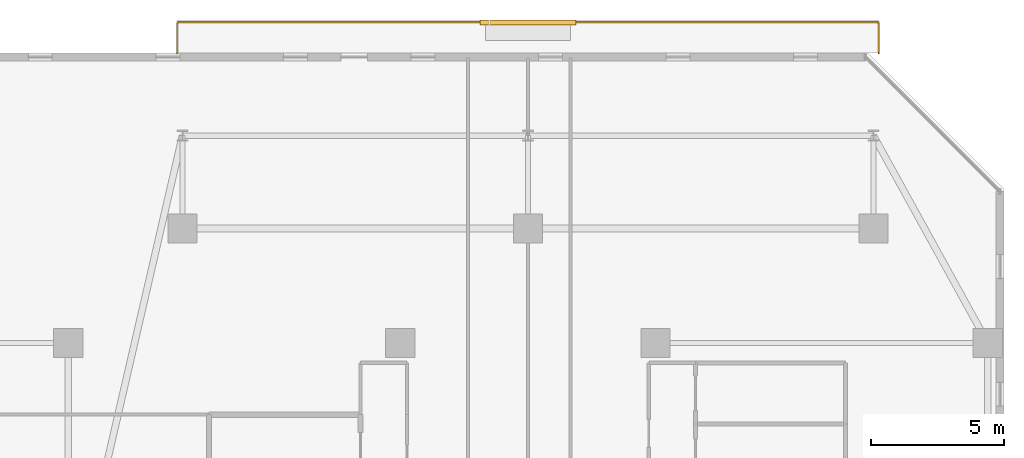
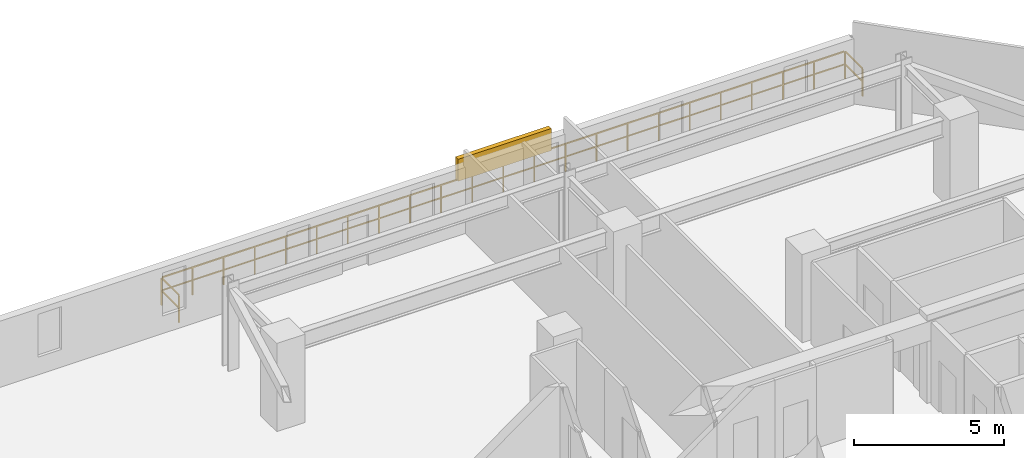
# One storey, part 33 of 33: 1 railing, 1 shading device.
"""IFC4 building model written with IfcOpenShell, lengths in metres."""

import ifcopenshell
import ifcopenshell.guid

model = None  # the IFC model being written
_history = None  # IfcOwnerHistory: only IFC2X3 demands one
_inside = {}  # id of a spatial element -> (the spatial element, [elements in it])
_under = {}  # id of a project, library or spatial element -> (it, [spatial elements below it])
_declared = {}  # id of a project -> (the project, [libraries it declares])
_typed = {}  # id of a type object -> (the type object, [elements of that type])
_made_of = {}  # id of a material, layer set ... -> (it, [elements and type objects made of it])


def new_model(schema):
    """Start an empty IFC model of exactly this schema.

    Asked for "IFC4X3", IfcOpenShell would pick the latest addendum, in which some entities
    have other attributes; the version numbers below select the first issue.
    IFC2X3 requires an IfcOwnerHistory on every rooted entity: one is made here for all.
    """
    global model, _history
    if schema == "IFC4X3":
        model = ifcopenshell.file(schema_version=(4, 3, 0, 0))
    else:
        model = ifcopenshell.file(schema=schema)
    _inside.clear()
    _under.clear()
    _declared.clear()
    _typed.clear()
    _made_of.clear()
    _history = None
    if model.schema == "IFC2X3":
        org = make("IfcOrganization", Name="unknown")
        user = make(
            "IfcPersonAndOrganization",
            ThePerson=make("IfcPerson", FamilyName="unknown"),
            TheOrganization=org,
        )
        app = make(
            "IfcApplication",
            ApplicationDeveloper=org,
            Version="unknown",
            ApplicationFullName="unknown",
            ApplicationIdentifier="unknown",
        )
        _history = make(
            "IfcOwnerHistory",
            OwningUser=user,
            OwningApplication=app,
            ChangeAction="ADDED",
            CreationDate=0,
        )
    return model


def make(cls, **values):
    """One entity of the class cls with the attributes given. An attribute that is None is left unset."""
    return model.create_entity(
        cls, **{name: value for name, value in values.items() if value is not None}
    )


def rooted(cls, **values):
    """An entity with a GlobalId (a new one), such as an element, a storey or a relation."""
    return make(cls, GlobalId=ifcopenshell.guid.new(), OwnerHistory=_history, **values)


def si_unit(unit_type, name, prefix=None):
    """IfcSIUnit, for example si_unit("LENGTHUNIT", "METRE", prefix="MILLI")."""
    return make("IfcSIUnit", UnitType=unit_type, Prefix=prefix, Name=name)


def assignment(units):
    """IfcUnitAssignment: the units of a project."""
    return None if units is None else make("IfcUnitAssignment", Units=units)


def point(xyz):
    """IfcCartesianPoint."""
    return None if xyz is None else make("IfcCartesianPoint", Coordinates=xyz)


def direction(xyz):
    """IfcDirection."""
    return None if xyz is None else make("IfcDirection", DirectionRatios=xyz)


def frame(location, z_axis=None, x_axis=None):
    """IfcAxis2Placement3D, a coordinate frame: its origin and axes. An axis left out is left unset."""
    return make(
        "IfcAxis2Placement3D",
        Location=point(location),
        Axis=direction(z_axis),
        RefDirection=direction(x_axis),
    )


def frame_2d(location, x_axis=None):
    """IfcAxis2Placement2D, a coordinate frame in the plane: its origin and x axis."""
    return make(
        "IfcAxis2Placement2D", Location=point(location), RefDirection=direction(x_axis)
    )


def origin():
    """The frame at (0, 0, 0) with its axes left unset."""
    return frame((0.0, 0.0, 0.0))


def origin_2d():
    """The frame at (0, 0) in the plane with its x axis left unset."""
    return frame_2d((0.0, 0.0))


def place(relative_to, where):
    """IfcLocalPlacement: puts the frame where relative to a parent placement (None: the world)."""
    return make(
        "IfcLocalPlacement", PlacementRelTo=relative_to, RelativePlacement=where
    )


def context(
    kind, dimensions, precision=None, world=None, true_north=None, identifier=None
):
    """IfcGeometricRepresentationContext, for example the 3D "Model" context."""
    return make(
        "IfcGeometricRepresentationContext",
        ContextIdentifier=identifier,
        ContextType=kind,
        CoordinateSpaceDimension=dimensions,
        Precision=precision,
        WorldCoordinateSystem=world,
        TrueNorth=true_north,
    )


def subcontext(parent, identifier, kind, view, scale=None):
    """IfcGeometricRepresentationSubContext, for example "Body" below "Model"."""
    return make(
        "IfcGeometricRepresentationSubContext",
        ContextIdentifier=identifier,
        ContextType=kind,
        ParentContext=parent,
        TargetScale=scale,
        TargetView=view,
    )


def project(units=None, contexts=None):
    """IfcProject with its units and contexts."""
    return rooted(
        "IfcProject",
        Name="project",
        RepresentationContexts=contexts,
        UnitsInContext=assignment(units),
    )


def spatial(cls, under=None, at=None, **own):
    """A site, building, storey or space (cls), placed at a placement, below another one or the project."""
    s = rooted(cls, ObjectPlacement=at, **own)
    if under is not None:
        _under.setdefault(under.id(), (under, []))[1].append(s)
    return s


def profile(cls, at=None, kind="AREA", **sizes):
    """A parametric profile (cls). Its sizes go by their IFC names, for example OverallWidth=200.0."""
    return make(cls, ProfileType=kind, Position=at, **sizes)


def rectangle(**sizes):
    """IfcRectangleProfileDef."""
    return profile("IfcRectangleProfileDef", **sizes)


def extrude(swept, where, along, depth):
    """IfcExtrudedAreaSolid: the profile swept, set in the frame where, extruded along a direction by depth."""
    return make(
        "IfcExtrudedAreaSolid",
        SweptArea=swept,
        Position=where,
        ExtrudedDirection=direction(along),
        Depth=depth,
    )


def shape(context_of_items, identifier, shape_type, items):
    """IfcShapeRepresentation: the items that make up one representation, for example the "Body"."""
    return make(
        "IfcShapeRepresentation",
        ContextOfItems=context_of_items,
        RepresentationIdentifier=identifier,
        RepresentationType=shape_type,
        Items=items,
    )


def material(Name=None, Category=None):
    """IfcMaterial."""
    return make("IfcMaterial", Name=Name, Category=Category)


def made_of(thing, what):
    """Note that an element or type object is made of a material, layer set ...; save() writes the relation."""
    if what is not None:
        _made_of.setdefault(what.id(), (what, []))[1].append(thing)
    return thing


def type_object(cls, material=None, **own):
    """A type object (cls), such as IfcWallType, which elements share."""
    return made_of(rooted(cls, **own), material)


def element(
    cls,
    number,
    at=None,
    inside=None,
    cuts=None,
    type_object=None,
    material=None,
    context=None,
    identifier="Body",
    shape_type=None,
    held_by="IfcProductDefinitionShape",
    body=None,
    shapes=None,
    **own,
):
    """One element of the class cls, such as IfcWall. Its Tag is "e" and its number.

    at: its placement. inside: the storey or other place that contains it. cuts: it is an
    opening in that element (IfcRelVoidsElement). A single representation is given by context,
    identifier, shape_type and body (its items); several are given by shapes. held_by: the class
    of the entity that holds the representations. save() writes the other relations.
    """
    e = rooted(cls, Tag="e%d" % number, ObjectPlacement=at, **own)
    if body is not None:
        shapes = [shape(context, identifier, shape_type, body)]
    if shapes is not None:
        e.Representation = make(held_by, Representations=shapes)
    if inside is not None:
        _inside.setdefault(inside.id(), (inside, []))[1].append(e)
    if cuts is not None:
        rooted(
            "IfcRelVoidsElement", RelatingBuildingElement=cuts, RelatedOpeningElement=e
        )
    if type_object is not None:
        _typed.setdefault(type_object.id(), (type_object, []))[1].append(e)
    return made_of(e, material)


def aggregate(whole, parts):
    """IfcRelAggregates: a whole, such as a stair, and the parts it consists of."""
    return rooted("IfcRelAggregates", RelatingObject=whole, RelatedObjects=parts)


def save(model, path):
    """Write the relations noted so far, then the file.

    IfcRelAggregates (storeys below a building ...), IfcRelContainedInSpatialStructure (elements
    in a storey), IfcRelDefinesByType, IfcRelAssociatesMaterial and IfcRelDeclares: one each for
    every whole, place, type object, material and project.
    """
    for whole, parts in _under.values():
        aggregate(whole, parts)
    for where, things in _inside.values():
        rooted(
            "IfcRelContainedInSpatialStructure",
            RelatedElements=things,
            RelatingStructure=where,
        )
    for kind, things in _typed.values():
        rooted("IfcRelDefinesByType", RelatedObjects=things, RelatingType=kind)
    for what, things in _made_of.values():
        rooted("IfcRelAssociatesMaterial", RelatedObjects=things, RelatingMaterial=what)
    for by, libraries in _declared.values():
        rooted("IfcRelDeclares", RelatingContext=by, RelatedDefinitions=libraries)
    model.write(path)


model = new_model("IFC4")

# Units and contexts
model_context = context("Model", 3, precision=1e-05, world=origin(), true_north=direction((0.0, 1.0)))
body_context = subcontext(model_context, "Body", "Model", "MODEL_VIEW")
ifc_project = project(units=[si_unit("LENGTHUNIT", "METRE"), si_unit("AREAUNIT", "SQUARE_METRE"), si_unit("VOLUMEUNIT", "CUBIC_METRE"), si_unit("PLANEANGLEUNIT", "RADIAN"), si_unit("MASSUNIT", "GRAM", prefix="KILO")], contexts=[model_context])

# Site, building, storey
site_placement = place(None, origin())
site = spatial("IfcSite", under=ifc_project, at=site_placement, CompositionType="ELEMENT")
building_placement = place(site_placement, origin())
building = spatial("IfcBuilding", under=site, at=building_placement, Name="Thornwick Lancets Civic Towers", CompositionType="ELEMENT")
storey_placement = place(building_placement, frame((0.0, 0.0, 189.300048828125)))
storey = spatial("IfcBuildingStorey", under=building, at=storey_placement, Name="L50", CompositionType="ELEMENT", Elevation=189.300048828125)

# Railing
ifc_material_1 = material(Name="Terracotta-capped laminated glass balustrade S355", Category="masonry")
railing_type = type_object("IfcRailingType", Name="RAIL_TERR_GUARD", PredefinedType="GUARDRAIL", material=ifc_material_1)
railing_placement = place(storey_placement, frame((75.300048828125, 50.89990234375, 0.0)))
element("IfcRailing", 1, at=railing_placement, inside=storey, type_object=railing_type, Name="L50 Tower B Balcony Guard N", PredefinedType="GUARDRAIL", context=body_context, shape_type="SweptSolid", body=[
    extrude(rectangle(XDim=0.048095703125, YDim=0.048095703125, at=origin_2d()), frame((0.0, 0.0, 1.1259765625), z_axis=(0.0, 1.0, 0.0), x_axis=(-1.0, 0.0, 0.0)), (0.0, 0.0, 1.0), 1.138916015625),
    extrude(rectangle(XDim=0.0419921875, YDim=0.0419921875, at=origin_2d()), frame((0.0, 0.03759765625, 0.597900390625), z_axis=(0.0, 1.0, 0.0), x_axis=(-1.0, 0.0, 0.0)), (0.0, 0.0, 1.0), 1.09521484375),
    extrude(rectangle(XDim=0.048095703125, YDim=0.048095703125, at=origin_2d()), frame((0.03125, 1.170166015625, 1.1259765625), z_axis=(1.0, 0.0, 0.0), x_axis=(0.0, 1.0, 0.0)), (0.0, 0.0, 1.0), 26.33740234375),
    extrude(rectangle(XDim=0.0419921875, YDim=0.0419921875, at=origin_2d()), frame((0.03759765625, 1.170166015625, 0.597900390625), z_axis=(1.0, 0.0, 0.0), x_axis=(0.0, 1.0, 0.0)), (0.0, 0.0, 1.0), 1.125),
    extrude(rectangle(XDim=0.0419921875, YDim=0.0419921875, at=origin_2d()), frame((1.237548828125, 1.170166015625, 0.597900390625), z_axis=(1.0, 0.0, 0.0), x_axis=(0.0, 1.0, 0.0)), (0.0, 0.0, 1.0), 1.125),
    extrude(rectangle(XDim=0.0419921875, YDim=0.0419921875, at=origin_2d()), frame((2.4375, 1.170166015625, 0.597900390625), z_axis=(1.0, 0.0, 0.0), x_axis=(0.0, 1.0, 0.0)), (0.0, 0.0, 1.0), 1.125),
    extrude(rectangle(XDim=0.0419921875, YDim=0.0419921875, at=origin_2d()), frame((3.637451171875, 1.170166015625, 0.597900390625), z_axis=(1.0, 0.0, 0.0), x_axis=(0.0, 1.0, 0.0)), (0.0, 0.0, 1.0), 1.125),
    extrude(rectangle(XDim=0.0419921875, YDim=0.0419921875, at=origin_2d()), frame((4.83740234375, 1.170166015625, 0.597900390625), z_axis=(1.0, 0.0, 0.0), x_axis=(0.0, 1.0, 0.0)), (0.0, 0.0, 1.0), 1.125),
    extrude(rectangle(XDim=0.0419921875, YDim=0.0419921875, at=origin_2d()), frame((6.037353515625, 1.170166015625, 0.597900390625), z_axis=(1.0, 0.0, 0.0), x_axis=(0.0, 1.0, 0.0)), (0.0, 0.0, 1.0), 1.125),
    extrude(rectangle(XDim=0.0419921875, YDim=0.0419921875, at=origin_2d()), frame((7.237548828125, 1.170166015625, 0.597900390625), z_axis=(1.0, 0.0, 0.0), x_axis=(0.0, 1.0, 0.0)), (0.0, 0.0, 1.0), 1.125),
    extrude(rectangle(XDim=0.0419921875, YDim=0.0419921875, at=origin_2d()), frame((8.4375, 1.170166015625, 0.597900390625), z_axis=(1.0, 0.0, 0.0), x_axis=(0.0, 1.0, 0.0)), (0.0, 0.0, 1.0), 1.125),
    extrude(rectangle(XDim=0.0419921875, YDim=0.0419921875, at=origin_2d()), frame((9.637451171875, 1.170166015625, 0.597900390625), z_axis=(1.0, 0.0, 0.0), x_axis=(0.0, 1.0, 0.0)), (0.0, 0.0, 1.0), 1.125),
    extrude(rectangle(XDim=0.0419921875, YDim=0.0419921875, at=origin_2d()), frame((10.83740234375, 1.170166015625, 0.597900390625), z_axis=(1.0, 0.0, 0.0), x_axis=(0.0, 1.0, 0.0)), (0.0, 0.0, 1.0), 1.125),
    extrude(rectangle(XDim=0.0419921875, YDim=0.0419921875, at=origin_2d()), frame((12.037353515625, 1.170166015625, 0.597900390625), z_axis=(1.0, 0.0, 0.0), x_axis=(0.0, 1.0, 0.0)), (0.0, 0.0, 1.0), 1.125),
    extrude(rectangle(XDim=0.0419921875, YDim=0.0419921875, at=origin_2d()), frame((13.237548828125, 1.170166015625, 0.597900390625), z_axis=(1.0, 0.0, 0.0), x_axis=(0.0, 1.0, 0.0)), (0.0, 0.0, 1.0), 1.125),
    extrude(rectangle(XDim=0.0419921875, YDim=0.0419921875, at=origin_2d()), frame((14.4375, 1.170166015625, 0.597900390625), z_axis=(1.0, 0.0, 0.0), x_axis=(0.0, 1.0, 0.0)), (0.0, 0.0, 1.0), 1.125),
    extrude(rectangle(XDim=0.0419921875, YDim=0.0419921875, at=origin_2d()), frame((15.637451171875, 1.170166015625, 0.597900390625), z_axis=(1.0, 0.0, 0.0), x_axis=(0.0, 1.0, 0.0)), (0.0, 0.0, 1.0), 1.125),
    extrude(rectangle(XDim=0.0419921875, YDim=0.0419921875, at=origin_2d()), frame((16.83740234375, 1.170166015625, 0.597900390625), z_axis=(1.0, 0.0, 0.0), x_axis=(0.0, 1.0, 0.0)), (0.0, 0.0, 1.0), 1.125),
    extrude(rectangle(XDim=0.0419921875, YDim=0.0419921875, at=origin_2d()), frame((18.037353515625, 1.170166015625, 0.597900390625), z_axis=(1.0, 0.0, 0.0), x_axis=(0.0, 1.0, 0.0)), (0.0, 0.0, 1.0), 1.125),
    extrude(rectangle(XDim=0.0419921875, YDim=0.0419921875, at=origin_2d()), frame((19.2373046875, 1.170166015625, 0.597900390625), z_axis=(1.0, 0.0, 0.0), x_axis=(0.0, 1.0, 0.0)), (0.0, 0.0, 1.0), 1.125),
    extrude(rectangle(XDim=0.0419921875, YDim=0.0419921875, at=origin_2d()), frame((20.4375, 1.170166015625, 0.597900390625), z_axis=(1.0, 0.0, 0.0), x_axis=(0.0, 1.0, 0.0)), (0.0, 0.0, 1.0), 1.125),
    extrude(rectangle(XDim=0.0419921875, YDim=0.0419921875, at=origin_2d()), frame((21.637451171875, 1.170166015625, 0.597900390625), z_axis=(1.0, 0.0, 0.0), x_axis=(0.0, 1.0, 0.0)), (0.0, 0.0, 1.0), 1.125),
    extrude(rectangle(XDim=0.0419921875, YDim=0.0419921875, at=origin_2d()), frame((22.83740234375, 1.170166015625, 0.597900390625), z_axis=(1.0, 0.0, 0.0), x_axis=(0.0, 1.0, 0.0)), (0.0, 0.0, 1.0), 1.125),
    extrude(rectangle(XDim=0.0419921875, YDim=0.0419921875, at=origin_2d()), frame((24.037353515625, 1.170166015625, 0.597900390625), z_axis=(1.0, 0.0, 0.0), x_axis=(0.0, 1.0, 0.0)), (0.0, 0.0, 1.0), 1.125),
    extrude(rectangle(XDim=0.0419921875, YDim=0.0419921875, at=origin_2d()), frame((25.2373046875, 1.170166015625, 0.597900390625), z_axis=(1.0, 0.0, 0.0), x_axis=(0.0, 1.0, 0.0)), (0.0, 0.0, 1.0), 1.125),
    extrude(rectangle(XDim=0.048095703125, YDim=0.048095703125, at=origin_2d()), frame((26.39990234375, 1.138916015625, 1.1259765625), z_axis=(0.0, -1.0, 0.0), x_axis=(1.0, 0.0, 0.0)), (0.0, 0.0, 1.0), 1.138916015625),
    extrude(rectangle(XDim=0.0419921875, YDim=0.0419921875, at=origin_2d()), frame((26.39990234375, 1.132568359375, 0.597900390625), z_axis=(0.0, -1.0, 0.0), x_axis=(1.0, 0.0, 0.0)), (0.0, 0.0, 1.0), 1.09521484375),
    extrude(rectangle(XDim=0.0419921875, YDim=0.0419921875, at=origin_2d()), origin(), (0.0, 0.0, 1.0), 1.095703125),
    extrude(rectangle(XDim=0.0419921875, YDim=0.0419921875, at=origin_2d()), frame((0.0, 1.170166015625, 0.0)), (0.0, 0.0, 1.0), 1.095703125),
    extrude(rectangle(XDim=0.0419921875, YDim=0.0419921875, at=origin_2d()), frame((1.199951171875, 1.170166015625, 0.0)), (0.0, 0.0, 1.0), 1.095703125),
    extrude(rectangle(XDim=0.0419921875, YDim=0.0419921875, at=origin_2d()), frame((2.39990234375, 1.170166015625, 0.0)), (0.0, 0.0, 1.0), 1.095703125),
    extrude(rectangle(XDim=0.0419921875, YDim=0.0419921875, at=origin_2d()), frame((3.60009765625, 1.170166015625, 0.0)), (0.0, 0.0, 1.0), 1.095703125),
    extrude(rectangle(XDim=0.0419921875, YDim=0.0419921875, at=origin_2d()), frame((4.800048828125, 1.170166015625, 0.0)), (0.0, 0.0, 1.0), 1.095703125),
    extrude(rectangle(XDim=0.0419921875, YDim=0.0419921875, at=origin_2d()), frame((6.0, 1.170166015625, 0.0)), (0.0, 0.0, 1.0), 1.095703125),
    extrude(rectangle(XDim=0.0419921875, YDim=0.0419921875, at=origin_2d()), frame((7.199951171875, 1.170166015625, 0.0)), (0.0, 0.0, 1.0), 1.095703125),
    extrude(rectangle(XDim=0.0419921875, YDim=0.0419921875, at=origin_2d()), frame((8.39990234375, 1.170166015625, 0.0)), (0.0, 0.0, 1.0), 1.095703125),
    extrude(rectangle(XDim=0.0419921875, YDim=0.0419921875, at=origin_2d()), frame((9.599853515625, 1.170166015625, 0.0)), (0.0, 0.0, 1.0), 1.095703125),
    extrude(rectangle(XDim=0.0419921875, YDim=0.0419921875, at=origin_2d()), frame((10.800048828125, 1.170166015625, 0.0)), (0.0, 0.0, 1.0), 1.095703125),
    extrude(rectangle(XDim=0.0419921875, YDim=0.0419921875, at=origin_2d()), frame((12.0, 1.170166015625, 0.0)), (0.0, 0.0, 1.0), 1.095703125),
    extrude(rectangle(XDim=0.0419921875, YDim=0.0419921875, at=origin_2d()), frame((13.199951171875, 1.170166015625, 0.0)), (0.0, 0.0, 1.0), 1.095703125),
    extrude(rectangle(XDim=0.0419921875, YDim=0.0419921875, at=origin_2d()), frame((14.39990234375, 1.170166015625, 0.0)), (0.0, 0.0, 1.0), 1.095703125),
    extrude(rectangle(XDim=0.0419921875, YDim=0.0419921875, at=origin_2d()), frame((15.599853515625, 1.170166015625, 0.0)), (0.0, 0.0, 1.0), 1.095703125),
    extrude(rectangle(XDim=0.0419921875, YDim=0.0419921875, at=origin_2d()), frame((16.800048828125, 1.170166015625, 0.0)), (0.0, 0.0, 1.0), 1.095703125),
    extrude(rectangle(XDim=0.0419921875, YDim=0.0419921875, at=origin_2d()), frame((18.0, 1.170166015625, 0.0)), (0.0, 0.0, 1.0), 1.095703125),
    extrude(rectangle(XDim=0.0419921875, YDim=0.0419921875, at=origin_2d()), frame((19.199951171875, 1.170166015625, 0.0)), (0.0, 0.0, 1.0), 1.095703125),
    extrude(rectangle(XDim=0.0419921875, YDim=0.0419921875, at=origin_2d()), frame((20.39990234375, 1.170166015625, 0.0)), (0.0, 0.0, 1.0), 1.095703125),
    extrude(rectangle(XDim=0.0419921875, YDim=0.0419921875, at=origin_2d()), frame((21.599853515625, 1.170166015625, 0.0)), (0.0, 0.0, 1.0), 1.095703125),
    extrude(rectangle(XDim=0.0419921875, YDim=0.0419921875, at=origin_2d()), frame((22.7998046875, 1.170166015625, 0.0)), (0.0, 0.0, 1.0), 1.095703125),
    extrude(rectangle(XDim=0.0419921875, YDim=0.0419921875, at=origin_2d()), frame((24.0, 1.170166015625, 0.0)), (0.0, 0.0, 1.0), 1.095703125),
    extrude(rectangle(XDim=0.0419921875, YDim=0.0419921875, at=origin_2d()), frame((25.199951171875, 1.170166015625, 0.0)), (0.0, 0.0, 1.0), 1.095703125),
    extrude(rectangle(XDim=0.0419921875, YDim=0.0419921875, at=origin_2d()), frame((26.39990234375, 1.170166015625, 0.0)), (0.0, 0.0, 1.0), 1.095703125),
    extrude(rectangle(XDim=0.0419921875, YDim=0.0419921875, at=origin_2d()), frame((26.39990234375, 0.0, 0.0)), (0.0, 0.0, 1.0), 1.095703125),
])

# Shading device
ifc_material_2 = material(Name="Extruded terracotta baguette solar screen", Category="masonry")
shading_device_type = type_object("IfcShadingDeviceType", Name="SHADE_BAGUETTE", PredefinedType="JALOUSIE", material=ifc_material_2)
shading_device_placement = place(storey_placement, frame((88.5, 52.06005859375, 1.1201171875), z_axis=(0.0, 0.0, 1.0), x_axis=(1.0, 0.0, 0.0)))
element("IfcShadingDevice", 2, at=shading_device_placement, inside=storey, type_object=shading_device_type, Name="L50 Tower B Terracotta Baguette Screen N", PredefinedType="JALOUSIE", context=body_context, shape_type="SweptSolid", body=[
    extrude(rectangle(XDim=3.60009765625, YDim=0.179931640625, at=origin_2d()), origin(), (0.0, 0.0, 1.0), 0.89990234375),
])

save(model, "model.ifc")
